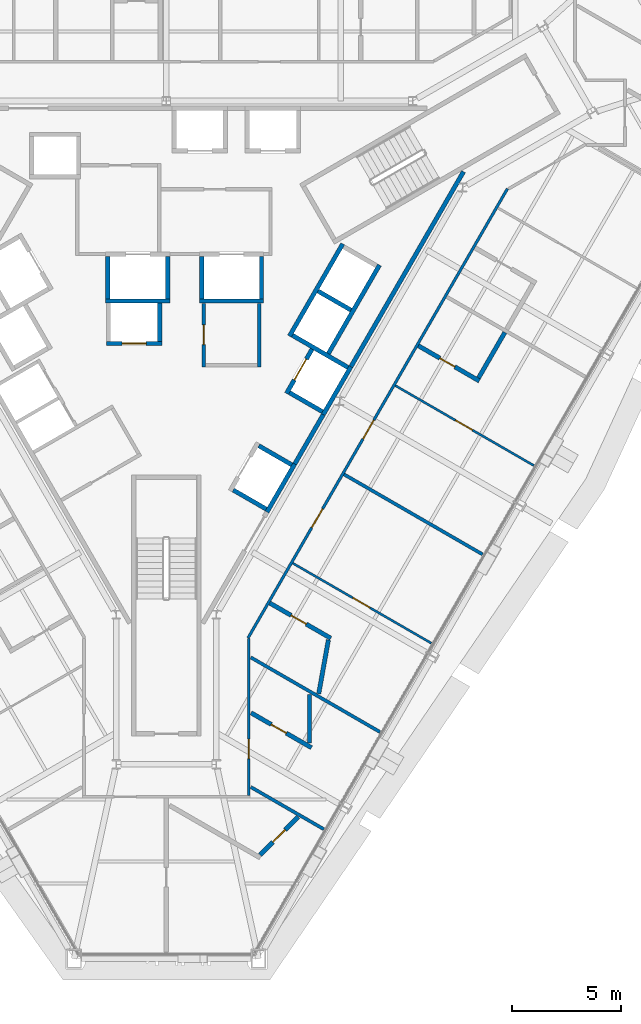
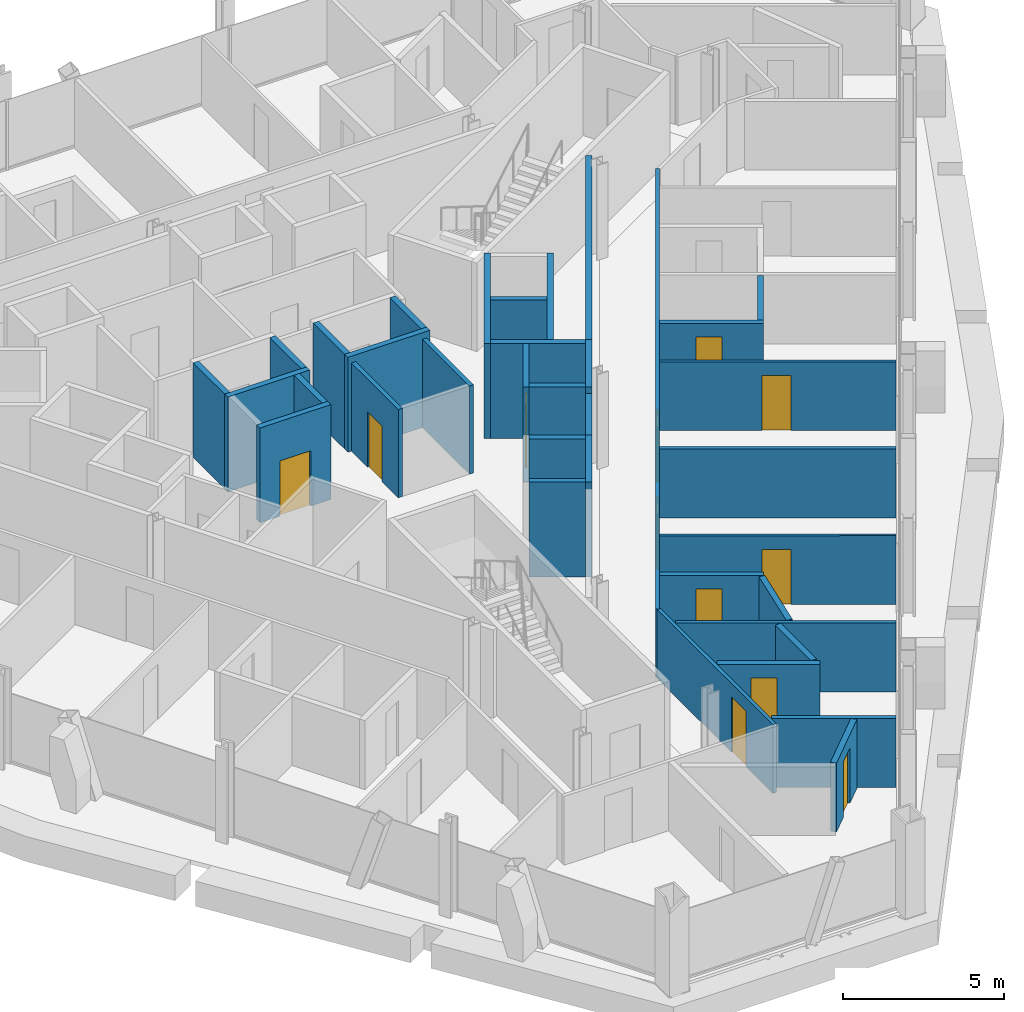
# One storey, part 11 of 16: 36 walls, 12 doors, 12 openings.
"""IFC4 building model written with IfcOpenShell, lengths in metres."""

from ifc_helpers import new_model, si_unit, direction, frame, frame_2d, origin, place, context, subcontext, project, spatial, rectangle, extrude, material, layer, layer_set, type_object, element, fill, save


model = new_model("IFC4")

# Units and contexts
model_context = context("Model", 3, precision=1e-05, world=origin(), true_north=direction((0.0, 1.0)))
body_context = subcontext(model_context, "Body", "Model", "MODEL_VIEW")
ifc_project = project(units=[si_unit("LENGTHUNIT", "METRE"), si_unit("AREAUNIT", "SQUARE_METRE"), si_unit("VOLUMEUNIT", "CUBIC_METRE"), si_unit("PLANEANGLEUNIT", "RADIAN"), si_unit("MASSUNIT", "GRAM", prefix="KILO")], contexts=[model_context])

# Site, building, storey
site_placement = place(None, origin())
site = spatial("IfcSite", under=ifc_project, at=site_placement, CompositionType="ELEMENT")
building_placement = place(site_placement, origin())
building = spatial("IfcBuilding", under=site, at=building_placement, Name="Verrane Prism Tower", CompositionType="ELEMENT")
storey_placement = place(building_placement, frame((0.0, 0.0, 107.199951171875)))
storey = spatial("IfcBuildingStorey", under=building, at=storey_placement, Name="L25", CompositionType="ELEMENT", Elevation=107.199951171875)

# Walls
ifc_material_1 = material(Name="Gypsum board partition", Category="other")
ifc_layer_1 = layer(ifc_material_1, 0.199951171875)
ifc_layer_set_1 = layer_set([ifc_layer_1], Name="CW-200 core boundary wall 2 h")
wall_type_1 = type_object("IfcWallType", Name="CW-200 core boundary wall 2 h", PredefinedType="PARTITIONING", material=ifc_layer_set_1)
wall_1_placement = place(storey_placement, frame((5.906005859375, -7.489990234375, 0.0), z_axis=(0.0, 0.0, 1.0), x_axis=(0.500252727967, 0.865879442048, 0.0)))
element("IfcWall", 1, at=wall_1_placement, inside=storey, type_object=wall_type_1, Name="Core boundary wall CW3-005", PredefinedType="PARTITIONING", context=body_context, shape_type="SweptSolid", body=[
    extrude(rectangle(XDim=2.616943359375, YDim=0.199951171875, at=frame_2d((1.30859375, 0.0))), origin(), (0.0, 0.0, 1.0), 3.35009765625),
])
wall_2_placement = place(storey_placement, frame((8.491943359375, -3.011962890625, 0.0), z_axis=(0.0, 0.0, 1.0), x_axis=(0.499972957231, 0.866041016371, 0.0)))
element("IfcWall", 2, at=wall_2_placement, inside=storey, type_object=wall_type_1, Name="Core boundary wall CW3-007", PredefinedType="PARTITIONING", context=body_context, shape_type="SweptSolid", body=[
    extrude(rectangle(XDim=10.3486328125, YDim=0.199951171875, at=frame_2d((5.17431640625, 0.0))), origin(), (0.0, 0.0, 1.0), 3.35009765625),
])

# Wall, opening, door
ifc_material_2 = material(Name="Gypsum board shaft wall assembly", Category="other")
ifc_layer_2 = layer(ifc_material_2, 0.199951171875)
ifc_layer_set_2 = layer_set([ifc_layer_2], Name="HW-200 lift shaft wall 2 h")
wall_type_2 = type_object("IfcWallType", Name="HW-200 lift shaft wall 2 h", PredefinedType="PARTITIONING", material=ifc_layer_set_2)
wall_3_placement = place(storey_placement, frame((-2.7548828125, -1.949951171875, 0.0), z_axis=(0.0, 0.0, 1.0), x_axis=(1.0, 0.0, 0.0)))
wall_3 = element("IfcWall", 3, at=wall_3_placement, inside=storey, type_object=wall_type_2, Name="Lift shaft wall", PredefinedType="PARTITIONING", context=body_context, shape_type="SweptSolid", body=[
    extrude(rectangle(XDim=2.5498046875, YDim=0.199951171875, at=frame_2d((1.27490234375, 0.0))), origin(), (0.0, 0.0, 1.0), 3.60009765625),
])
opening_1_placement = place(wall_3_placement, frame((0.72509765625, 0.0, 0.0)))
opening_1 = element("IfcOpeningElement", 4, at=opening_1_placement, cuts=wall_3, Name="Opening D24504", PredefinedType="OPENING", context=body_context, shape_type="SweptSolid", body=[
    extrude(rectangle(XDim=1.10009765625, YDim=2.10009765625, at=frame_2d((0.550048828125, 1.050048828125))), frame((0.0, 0.10986328125, 0.0), z_axis=(0.0, -1.0, 0.0), x_axis=(1.0, 0.0, 0.0)), (0.0, 0.0, 1.0), 0.219970703125),
])
ifc_material_3 = material(Name="Stainless steel sliding landing door", Category="steel")
door_type_1 = type_object("IfcDoorType", Name="LD-1100x2100 lift landing door FD90 sliding", OperationType="NOTDEFINED", PredefinedType="DOOR", material=ifc_material_3)
door_1_placement = place(opening_1_placement, origin())
door_1 = element("IfcDoor", 5, at=door_1_placement, inside=storey, type_object=door_type_1, Name="Bank A lift 2 landing door", OperationType="SLIDING_TO_RIGHT", OverallHeight=2.10009765625, OverallWidth=1.10009765625, PredefinedType="DOOR", context=body_context, shape_type="SweptSolid", body=[
    extrude(rectangle(XDim=1.10009765625, YDim=2.10009765625, at=frame_2d((0.550048828125, 1.050048828125))), frame((0.0, 0.02490234375, 0.0), z_axis=(0.0, -1.0, 0.0), x_axis=(1.0, 0.0, 0.0)), (0.0, 0.0, 1.0), 0.050048828125),
])
fill(opening_1, door_1)

# Walls
wall_4_placement = place(storey_placement, frame((-2.784912109375, 0.0, 0.0), z_axis=(0.0, 0.0, 1.0), x_axis=(1.0, 0.0, 0.0)))
element("IfcWall", 6, at=wall_4_placement, inside=storey, type_object=wall_type_2, Name="Lift shaft wall", PredefinedType="PARTITIONING", context=body_context, shape_type="SweptSolid", body=[
    extrude(rectangle(XDim=2.949951171875, YDim=0.199951171875, at=frame_2d((1.47509765625, 0.0))), origin(), (0.0, 0.0, 1.0), 3.60009765625),
])
wall_5_placement = place(storey_placement, frame((1.52490234375, 0.0, 0.0), z_axis=(0.0, 0.0, 1.0), x_axis=(1.0, 0.0, 0.0)))
element("IfcWall", 7, at=wall_5_placement, inside=storey, type_object=wall_type_2, Name="Lift shaft wall", PredefinedType="PARTITIONING", context=body_context, shape_type="SweptSolid", body=[
    extrude(rectangle(XDim=2.9501953125, YDim=0.199951171875, at=frame_2d((1.47509765625, 0.0))), origin(), (0.0, 0.0, 1.0), 3.60009765625),
])
wall_6_placement = place(storey_placement, frame((4.63037109375, -9.69970703125, 0.0), z_axis=(0.0, 0.0, 1.0), x_axis=(0.500062241894, 0.865989465428, 0.0)))
element("IfcWall", 8, at=wall_6_placement, inside=storey, type_object=wall_type_2, Name="Lift shaft wall", PredefinedType="PARTITIONING", context=body_context, shape_type="SweptSolid", body=[
    extrude(rectangle(XDim=2.550048828125, YDim=0.199951171875, at=frame_2d((1.27490234375, 0.0))), origin(), (0.0, 0.0, 1.0), 3.60009765625),
])
wall_7_placement = place(storey_placement, frame((7.215576171875, -5.222412109375, 0.0), z_axis=(0.0, 0.0, 1.0), x_axis=(0.499990435942, 0.866030925526, 0.0)))
element("IfcWall", 9, at=wall_7_placement, inside=storey, type_object=wall_type_2, Name="Lift shaft wall", PredefinedType="PARTITIONING", context=body_context, shape_type="SweptSolid", body=[
    extrude(rectangle(XDim=2.5498046875, YDim=0.199951171875, at=frame_2d((1.27490234375, 0.0))), origin(), (0.0, 0.0, 1.0), 3.60009765625),
])
wall_8_placement = place(storey_placement, frame((7.451171875, -2.4140625, 0.0), z_axis=(0.0, 0.0, 1.0), x_axis=(0.500016218704, 0.866016039709, 0.0)))
element("IfcWall", 10, at=wall_8_placement, inside=storey, type_object=wall_type_2, Name="Lift shaft wall", PredefinedType="PARTITIONING", context=body_context, shape_type="SweptSolid", body=[
    extrude(rectangle(XDim=4.699951171875, YDim=0.199951171875, at=frame_2d((2.35009765625, 0.0))), origin(), (0.0, 0.0, 1.0), 3.60009765625),
])

# Wall, opening, door
wall_9_placement = place(storey_placement, frame((5.52685546875, -4.247314453125, 0.0), z_axis=(0.0, 0.0, 1.0), x_axis=(0.499938297808, 0.866061024631, 0.0)))
wall_9 = element("IfcWall", 11, at=wall_9_placement, inside=storey, type_object=wall_type_2, Name="Lift shaft wall", PredefinedType="PARTITIONING", context=body_context, shape_type="SweptSolid", body=[
    extrude(rectangle(XDim=2.349853515625, YDim=0.199951171875, at=frame_2d((1.1748046875, 0.0))), origin(), (0.0, 0.0, 1.0), 3.60009765625),
])
opening_2_placement = place(wall_9_placement, frame((0.72509765625, 0.0, 0.0)))
opening_2 = element("IfcOpeningElement", 12, at=opening_2_placement, cuts=wall_9, Name="Opening D24507", PredefinedType="OPENING", context=body_context, shape_type="SweptSolid", body=[
    extrude(rectangle(XDim=1.10009765625, YDim=2.10009765625, at=frame_2d((0.550048828125, 1.050048828125))), frame((0.0, 0.10986328125, 0.0), z_axis=(0.0, -1.0, 0.0), x_axis=(1.0, 0.0, 0.0)), (0.0, 0.0, 1.0), 0.219970703125),
])
door_2_placement = place(opening_2_placement, origin())
door_2 = element("IfcDoor", 13, at=door_2_placement, inside=storey, type_object=door_type_1, Name="Bank A lift 5 landing door", OperationType="SLIDING_TO_LEFT", OverallHeight=2.10009765625, OverallWidth=1.10009765625, PredefinedType="DOOR", context=body_context, shape_type="SweptSolid", body=[
    extrude(rectangle(XDim=1.10009765625, YDim=2.10009765625, at=frame_2d((0.550048828125, 1.050048828125))), frame((0.0, 0.02490234375, 0.0), z_axis=(0.0, -1.0, 0.0), x_axis=(1.0, 0.0, 0.0)), (0.0, 0.0, 1.0), 0.050048828125),
])
fill(opening_2, door_2)

# Walls
wall_10_placement = place(storey_placement, frame((5.66259765625, -1.6123046875, 0.0), z_axis=(0.0, 0.0, 1.0), x_axis=(0.49998122708, 0.866036242063, 0.0)))
element("IfcWall", 14, at=wall_10_placement, inside=storey, type_object=wall_type_2, Name="Lift shaft wall", PredefinedType="PARTITIONING", context=body_context, shape_type="SweptSolid", body=[
    extrude(rectangle(XDim=4.900146484375, YDim=0.199951171875, at=frame_2d((2.4501953125, 0.0))), origin(), (0.0, 0.0, 1.0), 3.60009765625),
])
for number, where, z_axis, x_axis, name in (
    (15, (4.375, 0.10009765625, 0.0), (0.0, 0.0, 1.0), (0.0, 1.0, 0.0), "Lift shaft wall"),
    (16, (1.625, 0.10009765625, 0.0), (0.0, 0.0, 1.0), (0.0, 1.0, 0.0), "Lift shaft wall"),
    (17, (0.06494140625, 0.10009765625, 0.0), (0.0, 0.0, 1.0), (0.0, 1.0, 0.0), "Lift shaft wall"),
):
    element("IfcWall", number, at=place(storey_placement, frame(where, z_axis=z_axis, x_axis=x_axis)), inside=storey, type_object=wall_type_2, Name=name, PredefinedType="PARTITIONING", context=body_context, shape_type="SweptSolid", body=[
        extrude(rectangle(XDim=1.949951171875, YDim=0.199951171875, at=frame_2d((0.97509765625, 0.0))), origin(), (0.0, 0.0, 1.0), 3.60009765625),
    ])
wall_11_placement = place(storey_placement, frame((-0.304931640625, -1.85009765625, 0.0), z_axis=(0.0, 0.0, 1.0), x_axis=(0.0, 1.0, 0.0)))
element("IfcWall", 18, at=wall_11_placement, inside=storey, type_object=wall_type_2, Name="Lift shaft wall", PredefinedType="PARTITIONING", context=body_context, shape_type="SweptSolid", body=[
    extrude(rectangle(XDim=1.75, YDim=0.199951171875, at=frame_2d((0.875, 0.0))), origin(), (0.0, 0.0, 1.0), 3.60009765625),
])
wall_12_placement = place(storey_placement, frame((-2.68505859375, 0.10009765625, 0.0), z_axis=(0.0, 0.0, 1.0), x_axis=(0.0, 1.0, 0.0)))
element("IfcWall", 19, at=wall_12_placement, inside=storey, type_object=wall_type_2, Name="Lift shaft wall", PredefinedType="PARTITIONING", context=body_context, shape_type="SweptSolid", body=[
    extrude(rectangle(XDim=1.949951171875, YDim=0.199951171875, at=frame_2d((0.97509765625, 0.0))), origin(), (0.0, 0.0, 1.0), 3.60009765625),
])
wall_13_placement = place(storey_placement, frame((8.48974609375, -0.41552734375, 0.0), z_axis=(0.0, 0.0, 1.0), x_axis=(-0.866036909293, 0.499980071345, 0.0)))
element("IfcWall", 20, at=wall_13_placement, inside=storey, type_object=wall_type_2, Name="Lift shaft wall", PredefinedType="PARTITIONING", context=body_context, shape_type="SweptSolid", body=[
    extrude(rectangle(XDim=1.75, YDim=0.199951171875, at=frame_2d((0.875, 0.0))), origin(), (0.0, 0.0, 1.0), 3.60009765625),
])
wall_14_placement = place(storey_placement, frame((8.35400390625, -3.050537109375, 0.0), z_axis=(0.0, 0.0, 1.0), x_axis=(-0.866060182126, 0.499939757307, 0.0)))
element("IfcWall", 21, at=wall_14_placement, inside=storey, type_object=wall_type_2, Name="Lift shaft wall", PredefinedType="PARTITIONING", context=body_context, shape_type="SweptSolid", body=[
    extrude(rectangle(XDim=2.949951171875, YDim=0.199951171875, at=frame_2d((1.47509765625, 0.0))), origin(), (0.0, 0.0, 1.0), 3.60009765625),
])
wall_15_placement = place(storey_placement, frame((7.178955078125, -5.085693359375, 0.0), z_axis=(0.0, 0.0, 1.0), x_axis=(-0.866036909293, 0.499980071345, 0.0)))
element("IfcWall", 22, at=wall_15_placement, inside=storey, type_object=wall_type_2, Name="Lift shaft wall", PredefinedType="PARTITIONING", context=body_context, shape_type="SweptSolid", body=[
    extrude(rectangle(XDim=1.75, YDim=0.199951171875, at=frame_2d((0.875, 0.0))), origin(), (0.0, 0.0, 1.0), 3.60009765625),
])
wall_16_placement = place(storey_placement, frame((5.768798828125, -7.528076171875, 0.0), z_axis=(0.0, 0.0, 1.0), x_axis=(-0.866002029911, 0.500040482552, 0.0)))
element("IfcWall", 23, at=wall_16_placement, inside=storey, type_object=wall_type_2, Name="Lift shaft wall", PredefinedType="PARTITIONING", context=body_context, shape_type="SweptSolid", body=[
    extrude(rectangle(XDim=1.749755859375, YDim=0.199951171875, at=frame_2d((0.875, 0.0))), origin(), (0.0, 0.0, 1.0), 3.60009765625),
])
wall_17_placement = place(storey_placement, frame((4.593994140625, -9.563232421875, 0.0), z_axis=(0.0, 0.0, 1.0), x_axis=(-0.866036909293, 0.499980071345, 0.0)))
element("IfcWall", 24, at=wall_17_placement, inside=storey, type_object=wall_type_2, Name="Lift shaft wall", PredefinedType="PARTITIONING", context=body_context, shape_type="SweptSolid", body=[
    extrude(rectangle(XDim=1.75, YDim=0.199951171875, at=frame_2d((0.875, 0.0))), origin(), (0.0, 0.0, 1.0), 3.60009765625),
])

# Wall, opening, door
ifc_material_4 = material(Name="Gypsum board partition", Category="other")
ifc_layer_3 = layer(ifc_material_4, 0.10009765625)
ifc_layer_set_3 = layer_set([ifc_layer_3], Name="PW-100 room partition")
wall_type_3 = type_object("IfcWallType", Name="PW-100 room partition", PredefinedType="PARTITIONING", material=ifc_layer_set_3)
wall_18_placement = place(storey_placement, frame((12.1826171875, -15.728759765625, 0.0), z_axis=(0.0, 0.0, 1.0), x_axis=(-0.866066702559, 0.499928461601, 0.0)))
wall_18 = element("IfcWall", 25, at=wall_18_placement, inside=storey, type_object=wall_type_3, Name="Room partition 052", PredefinedType="PARTITIONING", context=body_context, shape_type="SweptSolid", body=[
    extrude(rectangle(XDim=7.35205078125, YDim=0.10009765625, at=frame_2d((3.676025390625, 0.0))), origin(), (0.0, 0.0, 1.0), 2.613037109375),
])
opening_3_placement = place(wall_18_placement, frame((3.2646484375, 0.0, 0.0)))
opening_3 = element("IfcOpeningElement", 26, at=opening_3_placement, cuts=wall_18, Name="Opening D24004", PredefinedType="OPENING", context=body_context, shape_type="SweptSolid", body=[
    extrude(rectangle(XDim=0.89990234375, YDim=2.10009765625, at=frame_2d((0.449951171875, 1.050048828125))), frame((0.0, 0.06005859375, 0.0), z_axis=(0.0, -1.0, 0.0), x_axis=(1.0, 0.0, 0.0)), (0.0, 0.0, 1.0), 0.1201171875),
])
ifc_material_5 = material(Name="Timber veneered door leaf", Category="wood")
door_type_2 = type_object("IfcDoorType", Name="DR-900x2100 single leaf inner", OperationType="NOTDEFINED", PredefinedType="DOOR", material=ifc_material_5)
door_3_placement = place(opening_3_placement, origin())
door_3 = element("IfcDoor", 27, at=door_3_placement, inside=storey, type_object=door_type_2, Name="Suite Living Room door", OperationType="SINGLE_SWING_LEFT", OverallHeight=2.10009765625, OverallWidth=0.89990234375, PredefinedType="DOOR", context=body_context, shape_type="SweptSolid", body=[
    extrude(rectangle(XDim=0.89990234375, YDim=2.10009765625, at=frame_2d((0.449951171875, 1.050048828125))), frame((0.0, 0.02490234375, 0.0), z_axis=(0.0, -1.0, 0.0), x_axis=(1.0, 0.0, 0.0)), (0.0, 0.0, 1.0), 0.050048828125),
])
fill(opening_3, door_3)

wall_19_placement = place(storey_placement, frame((10.530029296875, -3.88623046875, 0.0), z_axis=(0.0, 0.0, 1.0), x_axis=(0.8660606245, -0.499938990969, 0.0)))
wall_19 = element("IfcWall", 28, at=wall_19_placement, inside=storey, type_object=wall_type_3, Name="Room partition 059", PredefinedType="PARTITIONING", context=body_context, shape_type="SweptSolid", body=[
    extrude(rectangle(XDim=7.3525390625, YDim=0.10009765625, at=frame_2d((3.67626953125, 0.0))), origin(), (0.0, 0.0, 1.0), 2.613037109375),
])
opening_4_placement = place(wall_19_placement, frame((3.1875, 0.0, 0.0)))
opening_4 = element("IfcOpeningElement", 29, at=opening_4_placement, cuts=wall_19, Name="Opening D24007", PredefinedType="OPENING", context=body_context, shape_type="SweptSolid", body=[
    extrude(rectangle(XDim=0.89990234375, YDim=2.10009765625, at=frame_2d((0.449951171875, 1.050048828125))), frame((0.0, 0.06005859375, 0.0), z_axis=(0.0, -1.0, 0.0), x_axis=(1.0, 0.0, 0.0)), (0.0, 0.0, 1.0), 0.1201171875),
])
door_4_placement = place(opening_4_placement, origin())
door_4 = element("IfcDoor", 30, at=door_4_placement, inside=storey, type_object=door_type_2, Name="Suite Living Room door", OperationType="SINGLE_SWING_LEFT", OverallHeight=2.10009765625, OverallWidth=0.89990234375, PredefinedType="DOOR", context=body_context, shape_type="SweptSolid", body=[
    extrude(rectangle(XDim=0.89990234375, YDim=2.10009765625, at=frame_2d((0.449951171875, 1.050048828125))), frame((0.0, 0.02490234375, 0.0), z_axis=(0.0, -1.0, 0.0), x_axis=(1.0, 0.0, 0.0)), (0.0, 0.0, 1.0), 0.050048828125),
])
fill(opening_4, door_4)

ifc_material_6 = material(Name="Gypsum board partition", Category="other")
ifc_layer_4 = layer(ifc_material_6, 0.125)
ifc_layer_set_4 = layer_set([ifc_layer_4], Name="PW-125 corridor wall 1 h")
wall_type_4 = type_object("IfcWallType", Name="PW-125 corridor wall 1 h", PredefinedType="PARTITIONING", material=ifc_layer_set_4)
wall_20_placement = place(storey_placement, frame((3.787109375, -15.52490234375, 0.0), z_axis=(0.0, 0.0, 1.0), x_axis=(0.0, -1.0, 0.0)))
wall_20 = element("IfcWall", 31, at=wall_20_placement, inside=storey, type_object=wall_type_4, Name="Corridor wall 045", PredefinedType="PARTITIONING", context=body_context, shape_type="SweptSolid", body=[
    extrude(rectangle(XDim=7.197021484375, YDim=0.125, at=frame_2d((3.5986328125, 0.0))), origin(), (0.0, 0.0, 1.0), 2.613037109375),
])
opening_5_placement = place(wall_20_placement, frame((4.612060546875, 0.0, 0.0)))
opening_5 = element("IfcOpeningElement", 32, at=opening_5_placement, cuts=wall_20, Name="Opening D24001", PredefinedType="OPENING", context=body_context, shape_type="SweptSolid", body=[
    extrude(rectangle(XDim=0.89990234375, YDim=2.10009765625, at=frame_2d((0.449951171875, 1.050048828125))), frame((0.0, 0.072509765625, 0.0), z_axis=(0.0, -1.0, 0.0), x_axis=(1.0, 0.0, 0.0)), (0.0, 0.0, 1.0), 0.14501953125),
])
ifc_material_7 = material(Name="Timber veneered door leaf", Category="wood")
door_type_3 = type_object("IfcDoorType", Name="DR-900x2100 FD20 single leaf unit", OperationType="NOTDEFINED", PredefinedType="DOOR", material=ifc_material_7)
door_5_placement = place(opening_5_placement, origin())
door_5 = element("IfcDoor", 33, at=door_5_placement, inside=storey, type_object=door_type_3, Name="Guest Room door", OperationType="SINGLE_SWING_RIGHT", OverallHeight=2.10009765625, OverallWidth=0.89990234375, PredefinedType="DOOR", context=body_context, shape_type="SweptSolid", body=[
    extrude(rectangle(XDim=0.89990234375, YDim=2.10009765625, at=frame_2d((0.449951171875, 1.050048828125))), frame((0.0, 0.02490234375, 0.0), z_axis=(0.0, -1.0, 0.0), x_axis=(1.0, 0.0, 0.0)), (0.0, 0.0, 1.0), 0.050048828125),
])
fill(opening_5, door_5)

# Wall, openings, doors
wall_21_placement = place(storey_placement, frame((15.684326171875, 5.1650390625, 0.0), z_axis=(0.0, 0.0, 1.0), x_axis=(-0.500027787016, -0.866009360349, 0.0)))
wall_21 = element("IfcWall", 34, at=wall_21_placement, inside=storey, type_object=wall_type_4, Name="Corridor wall 049", PredefinedType="PARTITIONING", context=body_context, shape_type="SweptSolid", body=[
    extrude(rectangle(XDim=23.855712890625, YDim=0.125, at=frame_2d((11.927734375, 0.0))), origin(), (0.0, 0.0, 1.0), 2.613037109375),
])
opening_6_placement = place(wall_21_placement, frame((16.99609375, 0.0, 0.0)))
opening_6 = element("IfcOpeningElement", 35, at=opening_6_placement, cuts=wall_21, Name="Opening D24003", PredefinedType="OPENING", context=body_context, shape_type="SweptSolid", body=[
    extrude(rectangle(XDim=1.0, YDim=2.10009765625, at=frame_2d((0.5, 1.050048828125))), frame((0.0, 0.072509765625, 0.0), z_axis=(0.0, -1.0, 0.0), x_axis=(1.0, 0.0, 0.0)), (0.0, 0.0, 1.0), 0.14501953125),
])
opening_7_placement = place(wall_21_placement, frame((12.2802734375, 0.0, 0.0)))
opening_7 = element("IfcOpeningElement", 36, at=opening_7_placement, cuts=wall_21, Name="Opening D24006", PredefinedType="OPENING", context=body_context, shape_type="SweptSolid", body=[
    extrude(rectangle(XDim=1.0, YDim=2.10009765625, at=frame_2d((0.5, 1.050048828125))), frame((0.0, 0.072509765625, 0.0), z_axis=(0.0, -1.0, 0.0), x_axis=(1.0, 0.0, 0.0)), (0.0, 0.0, 1.0), 0.14501953125),
])
ifc_material_8 = material(Name="Timber veneered door leaf", Category="wood")
door_type_4 = type_object("IfcDoorType", Name="DR-1000x2100 FD20 single leaf unit", OperationType="NOTDEFINED", PredefinedType="DOOR", material=ifc_material_8)
door_6_placement = place(opening_6_placement, origin())
door_6 = element("IfcDoor", 37, at=door_6_placement, inside=storey, type_object=door_type_4, Name="Suite Living Room door", OperationType="SINGLE_SWING_RIGHT", OverallHeight=2.10009765625, OverallWidth=1.0, PredefinedType="DOOR", context=body_context, shape_type="SweptSolid", body=[
    extrude(rectangle(XDim=1.0, YDim=2.10009765625, at=frame_2d((0.5, 1.050048828125))), frame((0.0, 0.02490234375, 0.0), z_axis=(0.0, -1.0, 0.0), x_axis=(1.0, 0.0, 0.0)), (0.0, 0.0, 1.0), 0.050048828125),
])
fill(opening_6, door_6)
door_7_placement = place(opening_7_placement, origin())
door_7 = element("IfcDoor", 38, at=door_7_placement, inside=storey, type_object=door_type_4, Name="Suite Living Room door", OperationType="SINGLE_SWING_LEFT", OverallHeight=2.10009765625, OverallWidth=1.0, PredefinedType="DOOR", context=body_context, shape_type="SweptSolid", body=[
    extrude(rectangle(XDim=1.0, YDim=2.10009765625, at=frame_2d((0.5, 1.050048828125))), frame((0.0, 0.02490234375, 0.0), z_axis=(0.0, -1.0, 0.0), x_axis=(1.0, 0.0, 0.0)), (0.0, 0.0, 1.0), 0.050048828125),
])
fill(opening_7, door_7)

# Walls
ifc_material_9 = material(Name="Gypsum board partition", Category="other")
ifc_layer_5 = layer(ifc_material_9, 0.14990234375)
ifc_layer_set_5 = layer_set([ifc_layer_5], Name="PW-150 demising wall 1 h")
wall_type_5 = type_object("IfcWallType", Name="PW-150 demising wall 1 h", PredefinedType="PARTITIONING", material=ifc_layer_set_5)
wall_22_placement = place(storey_placement, frame((3.886962890625, -22.3447265625, 0.0), z_axis=(0.0, 0.0, 1.0), x_axis=(0.865997824551, -0.500047765591, 0.0)))
element("IfcWall", 39, at=wall_22_placement, inside=storey, type_object=wall_type_5, Name="Demising wall 046", PredefinedType="PARTITIONING", context=body_context, shape_type="SweptSolid", body=[
    extrude(rectangle(XDim=3.8759765625, YDim=0.14990234375, at=frame_2d((1.93798828125, 0.0))), origin(), (0.0, 0.0, 1.0), 2.613037109375),
])
wall_23_placement = place(storey_placement, frame((3.886962890625, -16.384765625, 0.0), z_axis=(0.0, 0.0, 1.0), x_axis=(0.86602133163, -0.500007053112, 0.0)))
element("IfcWall", 40, at=wall_23_placement, inside=storey, type_object=wall_type_5, Name="Demising wall 048", PredefinedType="PARTITIONING", context=body_context, shape_type="SweptSolid", body=[
    extrude(rectangle(XDim=6.8564453125, YDim=0.14990234375, at=frame_2d((3.42822265625, 0.0))), origin(), (0.0, 0.0, 1.0), 2.613037109375),
])
wall_24_placement = place(storey_placement, frame((8.173095703125, -7.96923828125, 0.0), z_axis=(0.0, 0.0, 1.0), x_axis=(0.86596990005, -0.500096122968, 0.0)))
element("IfcWall", 41, at=wall_24_placement, inside=storey, type_object=wall_type_5, Name="Demising wall 056", PredefinedType="PARTITIONING", context=body_context, shape_type="SweptSolid", body=[
    extrude(rectangle(XDim=7.35205078125, YDim=0.14990234375, at=frame_2d((3.676025390625, 0.0))), origin(), (0.0, 0.0, 1.0), 2.613037109375),
])

# Wall, opening, door
ifc_material_10 = material(Name="Gypsum board partition", Category="other")
ifc_layer_6 = layer(ifc_material_10, 0.199951171875)
ifc_layer_set_6 = layer_set([ifc_layer_6], Name="PW-200 plumbing wall")
wall_type_6 = type_object("IfcWallType", Name="PW-200 plumbing wall", PredefinedType="PARTITIONING", material=ifc_layer_set_6)
wall_25_placement = place(storey_placement, frame((3.8994140625, -18.931884765625, 0.0), z_axis=(0.0, 0.0, 1.0), x_axis=(0.865973625928, -0.500089671156, 0.0)))
wall_25 = element("IfcWall", 42, at=wall_25_placement, inside=storey, type_object=wall_type_6, Name="Plumbing wall 047", PredefinedType="PARTITIONING", context=body_context, shape_type="SweptSolid", body=[
    extrude(rectangle(XDim=3.20361328125, YDim=0.199951171875, at=frame_2d((1.601806640625, 0.0))), origin(), (0.0, 0.0, 1.0), 2.613037109375),
])
opening_8_placement = place(wall_25_placement, frame((1.070068359375, 0.0, 0.0)))
opening_8 = element("IfcOpeningElement", 43, at=opening_8_placement, cuts=wall_25, Name="Opening D24002", PredefinedType="OPENING", context=body_context, shape_type="SweptSolid", body=[
    extrude(rectangle(XDim=0.800048828125, YDim=2.10009765625, at=frame_2d((0.39990234375, 1.050048828125))), frame((0.0, 0.10986328125, 0.0), z_axis=(0.0, -1.0, 0.0), x_axis=(1.0, 0.0, 0.0)), (0.0, 0.0, 1.0), 0.219970703125),
])
ifc_material_11 = material(Name="Timber veneered door leaf", Category="wood")
door_type_5 = type_object("IfcDoorType", Name="DR-800x2100 single leaf bath", OperationType="NOTDEFINED", PredefinedType="DOOR", material=ifc_material_11)
door_8_placement = place(opening_8_placement, origin())
door_8 = element("IfcDoor", 44, at=door_8_placement, inside=storey, type_object=door_type_5, Name="En-Suite door", OperationType="SINGLE_SWING_RIGHT", OverallHeight=2.10009765625, OverallWidth=0.800048828125, PredefinedType="DOOR", context=body_context, shape_type="SweptSolid", body=[
    extrude(rectangle(XDim=0.800048828125, YDim=2.10009765625, at=frame_2d((0.39990234375, 1.050048828125))), frame((0.0, 0.02490234375, 0.0), z_axis=(0.0, -1.0, 0.0), x_axis=(1.0, 0.0, 0.0)), (0.0, 0.0, 1.0), 0.050048828125),
])
fill(opening_8, door_8)

wall_26_placement = place(storey_placement, frame((4.318359375, -25.45654296875, 0.0), z_axis=(0.0, 0.0, 1.0), x_axis=(0.70690846209, 0.707305044677, 0.0)))
wall_26 = element("IfcWall", 45, at=wall_26_placement, inside=storey, type_object=wall_type_6, Name="Plumbing wall 050", PredefinedType="PARTITIONING", context=body_context, shape_type="SweptSolid", body=[
    extrude(rectangle(XDim=2.46240234375, YDim=0.199951171875, at=frame_2d((1.231201171875, 0.0))), origin(), (0.0, 0.0, 1.0), 2.613037109375),
])
opening_9_placement = place(wall_26_placement, frame((0.824951171875, 0.0, 0.0)))
opening_9 = element("IfcOpeningElement", 46, at=opening_9_placement, cuts=wall_26, Name="Opening D24042", PredefinedType="OPENING", context=body_context, shape_type="SweptSolid", body=[
    extrude(rectangle(XDim=0.800048828125, YDim=2.10009765625, at=frame_2d((0.39990234375, 1.050048828125))), frame((0.0, 0.10986328125, 0.0), z_axis=(0.0, -1.0, 0.0), x_axis=(1.0, 0.0, 0.0)), (0.0, 0.0, 1.0), 0.219970703125),
])
door_9_placement = place(opening_9_placement, origin())
door_9 = element("IfcDoor", 47, at=door_9_placement, inside=storey, type_object=door_type_5, Name="En-Suite door", OperationType="SINGLE_SWING_RIGHT", OverallHeight=2.10009765625, OverallWidth=0.800048828125, PredefinedType="DOOR", context=body_context, shape_type="SweptSolid", body=[
    extrude(rectangle(XDim=0.800048828125, YDim=2.10009765625, at=frame_2d((0.39990234375, 1.050048828125))), frame((0.0, 0.02490234375, 0.0), z_axis=(0.0, -1.0, 0.0), x_axis=(1.0, 0.0, 0.0)), (0.0, 0.0, 1.0), 0.050048828125),
])
fill(opening_9, door_9)

wall_27_placement = place(storey_placement, frame((7.5615234375, -15.5029296875, 0.0), z_axis=(0.0, 0.0, 1.0), x_axis=(-0.866078705744, 0.499907666931, 0.0)))
wall_27 = element("IfcWall", 48, at=wall_27_placement, inside=storey, type_object=wall_type_6, Name="Plumbing wall 051", PredefinedType="PARTITIONING", context=body_context, shape_type="SweptSolid", body=[
    extrude(rectangle(XDim=3.23291015625, YDim=0.199951171875, at=frame_2d((1.616455078125, 0.0))), origin(), (0.0, 0.0, 1.0), 2.613037109375),
])
opening_10_placement = place(wall_27_placement, frame((1.300537109375, 0.0, 0.0)))
opening_10 = element("IfcOpeningElement", 49, at=opening_10_placement, cuts=wall_27, Name="Opening D24005", PredefinedType="OPENING", context=body_context, shape_type="SweptSolid", body=[
    extrude(rectangle(XDim=0.800048828125, YDim=2.10009765625, at=frame_2d((0.39990234375, 1.050048828125))), frame((0.0, 0.10986328125, 0.0), z_axis=(0.0, -1.0, 0.0), x_axis=(1.0, 0.0, 0.0)), (0.0, 0.0, 1.0), 0.219970703125),
])
door_10_placement = place(opening_10_placement, origin())
door_10 = element("IfcDoor", 50, at=door_10_placement, inside=storey, type_object=door_type_5, Name="En-Suite door", OperationType="SINGLE_SWING_RIGHT", OverallHeight=2.10009765625, OverallWidth=0.800048828125, PredefinedType="DOOR", context=body_context, shape_type="SweptSolid", body=[
    extrude(rectangle(XDim=0.800048828125, YDim=2.10009765625, at=frame_2d((0.39990234375, 1.050048828125))), frame((0.0, 0.02490234375, 0.0), z_axis=(0.0, -1.0, 0.0), x_axis=(1.0, 0.0, 0.0)), (0.0, 0.0, 1.0), 0.050048828125),
])
fill(opening_10, door_10)

# Walls
wall_28_placement = place(storey_placement, frame((6.5869140625, -20.31396484375, 0.0), z_axis=(0.0, 0.0, 1.0), x_axis=(0.0, 1.0, 0.0)))
element("IfcWall", 51, at=wall_28_placement, inside=storey, type_object=wall_type_6, Name="Plumbing wall 053", PredefinedType="PARTITIONING", context=body_context, shape_type="SweptSolid", body=[
    extrude(rectangle(XDim=2.2265625, YDim=0.199951171875, at=frame_2d((1.11328125, 0.0))), origin(), (0.0, 0.0, 1.0), 2.613037109375),
])
wall_29_placement = place(storey_placement, frame((7.00732421875, -18.06005859375, 0.0), z_axis=(0.0, 0.0, 1.0), x_axis=(0.176615903702, 0.984279849717, 0.0)))
element("IfcWall", 52, at=wall_29_placement, inside=storey, type_object=wall_type_6, Name="Plumbing wall 054", PredefinedType="PARTITIONING", context=body_context, shape_type="SweptSolid", body=[
    extrude(rectangle(XDim=2.5185546875, YDim=0.199951171875, at=frame_2d((1.25927734375, 0.0))), origin(), (0.0, 0.0, 1.0), 2.613037109375),
])

# Wall, opening, door
wall_30_placement = place(storey_placement, frame((11.588134765625, -2.05419921875, 0.0), z_axis=(0.0, 0.0, 1.0), x_axis=(0.865983377851, -0.500072783988, 0.0)))
wall_30 = element("IfcWall", 53, at=wall_30_placement, inside=storey, type_object=wall_type_6, Name="Plumbing wall 060", PredefinedType="PARTITIONING", context=body_context, shape_type="SweptSolid", body=[
    extrude(rectangle(XDim=3.2373046875, YDim=0.199951171875, at=frame_2d((1.61865234375, 0.0))), origin(), (0.0, 0.0, 1.0), 2.613037109375),
])
opening_11_placement = place(wall_30_placement, frame((1.137451171875, 0.0, 0.0)))
opening_11 = element("IfcOpeningElement", 54, at=opening_11_placement, cuts=wall_30, Name="Opening D24008", PredefinedType="OPENING", context=body_context, shape_type="SweptSolid", body=[
    extrude(rectangle(XDim=0.800048828125, YDim=2.10009765625, at=frame_2d((0.39990234375, 1.050048828125))), frame((0.0, 0.10986328125, 0.0), z_axis=(0.0, -1.0, 0.0), x_axis=(1.0, 0.0, 0.0)), (0.0, 0.0, 1.0), 0.219970703125),
])
door_11_placement = place(opening_11_placement, origin())
door_11 = element("IfcDoor", 55, at=door_11_placement, inside=storey, type_object=door_type_5, Name="En-Suite door", OperationType="SINGLE_SWING_RIGHT", OverallHeight=2.10009765625, OverallWidth=0.800048828125, PredefinedType="DOOR", context=body_context, shape_type="SweptSolid", body=[
    extrude(rectangle(XDim=0.800048828125, YDim=2.10009765625, at=frame_2d((0.39990234375, 1.050048828125))), frame((0.0, 0.02490234375, 0.0), z_axis=(0.0, -1.0, 0.0), x_axis=(1.0, 0.0, 0.0)), (0.0, 0.0, 1.0), 0.050048828125),
])
fill(opening_11, door_11)

# Wall
wall_31_placement = place(storey_placement, frame((14.35498046875, -3.536376953125, 0.0), z_axis=(0.0, 0.0, 1.0), x_axis=(0.50002218001, 0.866012597771, 0.0)))
element("IfcWall", 56, at=wall_31_placement, inside=storey, type_object=wall_type_6, Name="Plumbing wall 067", PredefinedType="PARTITIONING", context=body_context, shape_type="SweptSolid", body=[
    extrude(rectangle(XDim=2.4208984375, YDim=0.199951171875, at=frame_2d((1.21044921875, 0.0))), origin(), (0.0, 0.0, 1.0), 2.613037109375),
])

# Wall, opening, door
ifc_material_12 = material(Name="Gypsum board partition", Category="other")
ifc_layer_7 = layer(ifc_material_12, 0.14990234375)
ifc_layer_set_7 = layer_set([ifc_layer_7], Name="RS-150 riser enclosure wall 1 h")
wall_type_7 = type_object("IfcWallType", Name="RS-150 riser enclosure wall 1 h", PredefinedType="PARTITIONING", material=ifc_layer_set_7)
wall_32_placement = place(storey_placement, frame((1.72509765625, -0.10205078125, 0.0), z_axis=(0.0, 0.0, 1.0), x_axis=(0.0, -1.0, 0.0)))
wall_32 = element("IfcWall", 57, at=wall_32_placement, inside=storey, type_object=wall_type_7, Name="Riser wall RS3-007", PredefinedType="PARTITIONING", context=body_context, shape_type="SweptSolid", body=[
    extrude(rectangle(XDim=2.9228515625, YDim=0.14990234375, at=frame_2d((1.46142578125, 0.0))), origin(), (0.0, 0.0, 1.0), 3.35009765625),
])
opening_12_placement = place(wall_32_placement, frame((0.998046875, 0.0, 0.0)))
opening_12 = element("IfcOpeningElement", 58, at=opening_12_placement, cuts=wall_32, Name="Opening D24518", PredefinedType="OPENING", context=body_context, shape_type="SweptSolid", body=[
    extrude(rectangle(XDim=0.89990234375, YDim=2.10009765625, at=frame_2d((0.449951171875, 1.050048828125))), frame((0.0, 0.0849609375, 0.0), z_axis=(0.0, -1.0, 0.0), x_axis=(1.0, 0.0, 0.0)), (0.0, 0.0, 1.0), 0.169921875),
])
ifc_material_13 = material(Name="Timber veneered door leaf", Category="wood")
door_type_6 = type_object("IfcDoorType", Name="DR-900x2100 FD20 single leaf store", OperationType="NOTDEFINED", PredefinedType="DOOR", material=ifc_material_13)
door_12_placement = place(opening_12_placement, origin())
door_12 = element("IfcDoor", 59, at=door_12_placement, inside=storey, type_object=door_type_6, Name="Room door D24518", OperationType="SINGLE_SWING_LEFT", OverallHeight=2.10009765625, OverallWidth=0.89990234375, PredefinedType="DOOR", context=body_context, shape_type="SweptSolid", body=[
    extrude(rectangle(XDim=0.89990234375, YDim=2.10009765625, at=frame_2d((0.449951171875, 1.050048828125))), frame((0.0, 0.02490234375, 0.0), z_axis=(0.0, -1.0, 0.0), x_axis=(1.0, 0.0, 0.0)), (0.0, 0.0, 1.0), 0.050048828125),
])
fill(opening_12, door_12)

# Wall
wall_33_placement = place(storey_placement, frame((4.27490234375, -3.02490234375, 0.0), z_axis=(0.0, 0.0, 1.0), x_axis=(0.0, 1.0, 0.0)))
element("IfcWall", 60, at=wall_33_placement, inside=storey, type_object=wall_type_7, Name="Riser wall RS3-009", PredefinedType="PARTITIONING", context=body_context, shape_type="SweptSolid", body=[
    extrude(rectangle(XDim=2.9228515625, YDim=0.14990234375, at=frame_2d((1.46142578125, 0.0))), origin(), (0.0, 0.0, 1.0), 3.35009765625),
])

save(model, "model.ifc")
